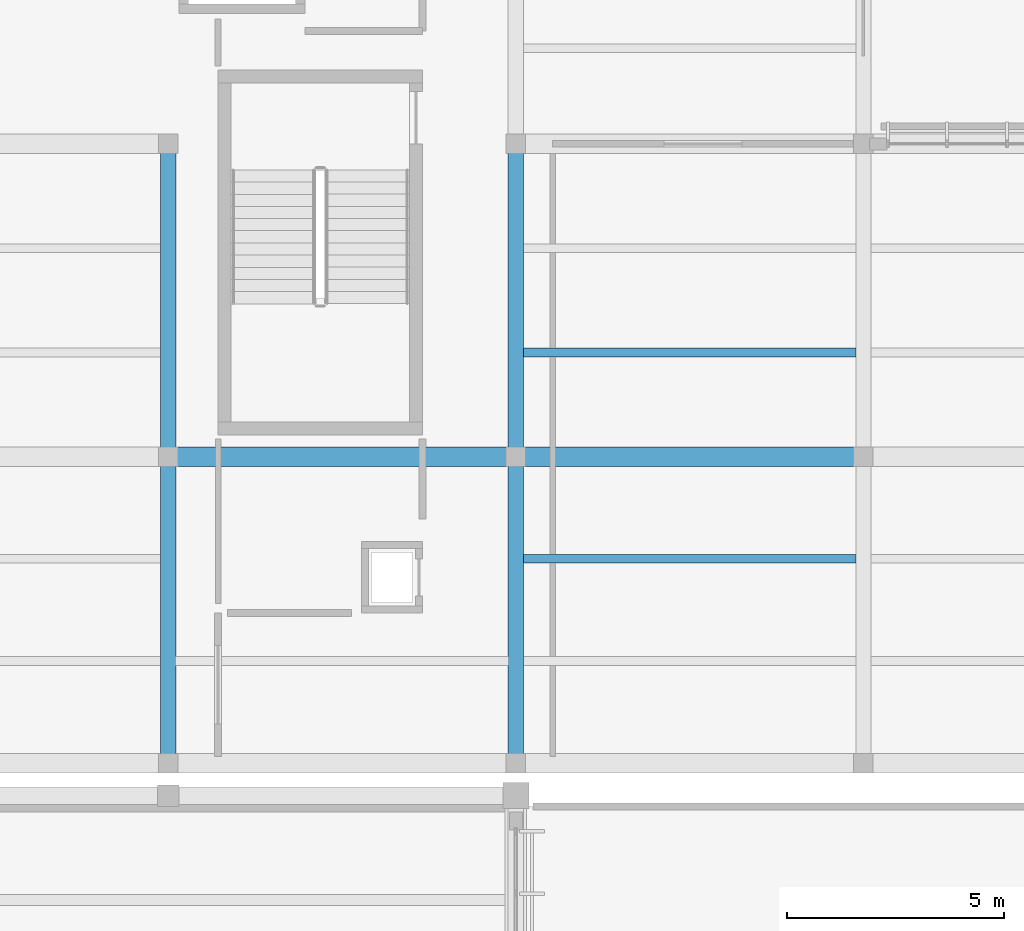
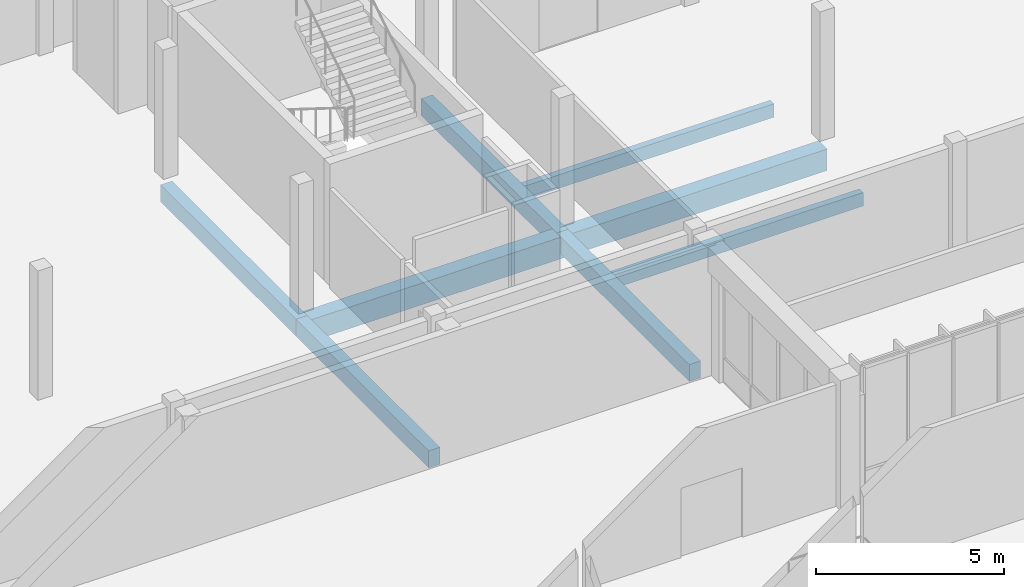
# One storey, part 38 of 182: 8 beams.
"""IFC4 building model written with IfcOpenShell, lengths in metres."""

from ifc_helpers import new_model, si_unit, direction, frame, origin, origin_2d, place, context, subcontext, project, spatial, rectangle, extrude, material, material_profile, profile_set, type_object, element, save


model = new_model("IFC4")

# Units and contexts
model_context = context("Model", 3, precision=1e-05, world=origin(), true_north=direction((0.0, 1.0)))
body_context = subcontext(model_context, "Body", "Model", "MODEL_VIEW")
ifc_project = project(units=[si_unit("LENGTHUNIT", "METRE"), si_unit("AREAUNIT", "SQUARE_METRE"), si_unit("VOLUMEUNIT", "CUBIC_METRE"), si_unit("PLANEANGLEUNIT", "RADIAN"), si_unit("MASSUNIT", "GRAM", prefix="KILO")], contexts=[model_context])

# Site, building, storey
site_placement = place(None, origin())
site = spatial("IfcSite", under=ifc_project, at=site_placement, CompositionType="ELEMENT")
building_placement = place(site_placement, origin())
building = spatial("IfcBuilding", under=site, at=building_placement, Name="Chiffa Square Polytechnic", CompositionType="ELEMENT")
storey_placement = place(building_placement, frame((0.0, 0.0, 9.60009765625)))
storey = spatial("IfcBuildingStorey", under=building, at=storey_placement, Name="L02", CompositionType="ELEMENT", Elevation=9.60009765625)

# Beams
ifc_material_1 = material(Name="Concrete C35/45", Category="concrete")
ifc_material_profile_1 = material_profile(ifc_material_1, rectangle(XDim=0.35009765625, YDim=0.550048828125, at=origin_2d()), Name="RC 350x550")
ifc_profile_set_1 = profile_set([ifc_material_profile_1], Name="Concrete C35/45")
beam_type_1 = type_object("IfcBeamType", Name="BM-RC-350X550", PredefinedType="BEAM", material=ifc_profile_set_1)
beam_1_placement = place(storey_placement, frame((16.0, 36.75, -0.59521484375), z_axis=(0.0, 1.0, 0.0), x_axis=(-1.0, 0.0, 0.0)))
element("IfcBeam", 1, at=beam_1_placement, inside=storey, type_object=beam_type_1, Name="Primary floor girder BM-V6-L02-Y-0160-0368", PredefinedType="BEAM", context=body_context, shape_type="SweptSolid", body=[
    extrude(rectangle(XDim=0.35009765625, YDim=0.550048828125, at=origin_2d()), origin(), (0.0, 0.0, 1.0), 7.050048828125),
])
beam_2_placement = place(storey_placement, frame((16.0, 43.800048828125, -0.59521484375), z_axis=(0.0, 1.0, 0.0), x_axis=(-1.0, 0.0, 0.0)))
element("IfcBeam", 2, at=beam_2_placement, inside=storey, type_object=beam_type_1, Name="Primary floor girder BM-V6-L02-Y-0160-0438", PredefinedType="BEAM", context=body_context, shape_type="SweptSolid", body=[
    extrude(rectangle(XDim=0.35009765625, YDim=0.550048828125, at=origin_2d()), origin(), (0.0, 0.0, 1.0), 7.199951171875),
])
beam_3_placement = place(storey_placement, frame((24.0, 36.75, -0.59521484375), z_axis=(0.0, 1.0, 0.0), x_axis=(-1.0, 0.0, 0.0)))
element("IfcBeam", 3, at=beam_3_placement, inside=storey, type_object=beam_type_1, Name="Primary floor girder BM-V6-L02-Y-0240-0368", PredefinedType="BEAM", context=body_context, shape_type="SweptSolid", body=[
    extrude(rectangle(XDim=0.35009765625, YDim=0.550048828125, at=origin_2d()), origin(), (0.0, 0.0, 1.0), 7.050048828125),
])
beam_4_placement = place(storey_placement, frame((24.0, 43.800048828125, -0.59521484375), z_axis=(0.0, 1.0, 0.0), x_axis=(-1.0, 0.0, 0.0)))
element("IfcBeam", 4, at=beam_4_placement, inside=storey, type_object=beam_type_1, Name="Primary floor girder BM-V6-L02-Y-0240-0438", PredefinedType="BEAM", context=body_context, shape_type="SweptSolid", body=[
    extrude(rectangle(XDim=0.35009765625, YDim=0.550048828125, at=origin_2d()), origin(), (0.0, 0.0, 1.0), 7.199951171875),
])
ifc_material_profile_2 = material_profile(ifc_material_1, rectangle(XDim=0.449951171875, YDim=0.699951171875, at=origin_2d()), Name="RC 450x700")
ifc_profile_set_2 = profile_set([ifc_material_profile_2], Name="Concrete C35/45")
beam_type_2 = type_object("IfcBeamType", Name="BM-RC-450X700", PredefinedType="BEAM", material=ifc_profile_set_2)
for number, where, z_axis, x_axis, name in (
    (5, (16.0, 43.800048828125, -0.670166015625), (1.0, 0.0, 0.0), (0.0, 1.0, 0.0), "Primary floor girder BM-V6-L02-X-0160-0438"),
    (6, (24.0, 43.800048828125, -0.670166015625), (1.0, 0.0, 0.0), (0.0, 1.0, 0.0), "Primary floor girder BM-V6-L02-X-0240-0438"),
):
    element("IfcBeam", number, at=place(storey_placement, frame(where, z_axis=z_axis, x_axis=x_axis)), inside=storey, type_object=beam_type_2, Name=name, PredefinedType="BEAM", context=body_context, shape_type="SweptSolid", body=[
        extrude(rectangle(XDim=0.449951171875, YDim=0.699951171875, at=origin_2d()), origin(), (0.0, 0.0, 1.0), 8.0),
    ])
ifc_material_2 = material(Name="Glulam GL28h", Category="wood")
ifc_material_profile_3 = material_profile(ifc_material_2, rectangle(XDim=0.199951171875, YDim=0.43994140625, at=origin_2d()), Name="GL28h 200x440")
ifc_profile_set_3 = profile_set([ifc_material_profile_3], Name="Glulam GL28h")
beam_type_3 = type_object("IfcBeamType", Name="JST-GL-200X440", PredefinedType="JOIST", material=ifc_profile_set_3)
for number, where, z_axis, x_axis, name in (
    (7, (24.173095703125, 41.449951171875, -0.5400390625), (1.0, 0.0, 0.0), (0.0, 1.0, 0.0), "Secondary floor joist JST-V6-L02-0240-0414"),
    (8, (24.173095703125, 46.199951171875, -0.5400390625), (1.0, 0.0, 0.0), (0.0, 1.0, 0.0), "Secondary floor joist JST-V6-L02-0240-0462"),
):
    element("IfcBeam", number, at=place(storey_placement, frame(where, z_axis=z_axis, x_axis=x_axis)), inside=storey, type_object=beam_type_3, Name=name, PredefinedType="JOIST", context=body_context, shape_type="SweptSolid", body=[
        extrude(rectangle(XDim=0.199951171875, YDim=0.43994140625, at=origin_2d()), origin(), (0.0, 0.0, 1.0), 7.65380859375),
    ])

save(model, "model.ifc")
